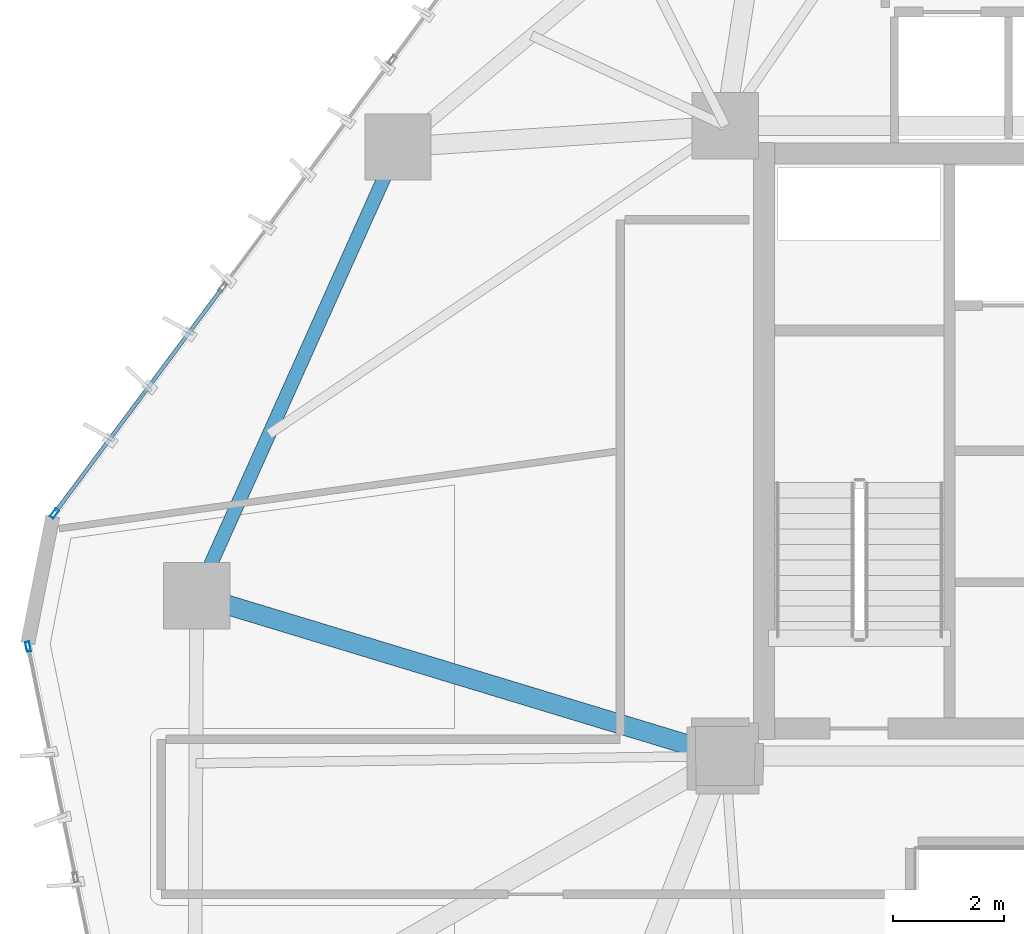
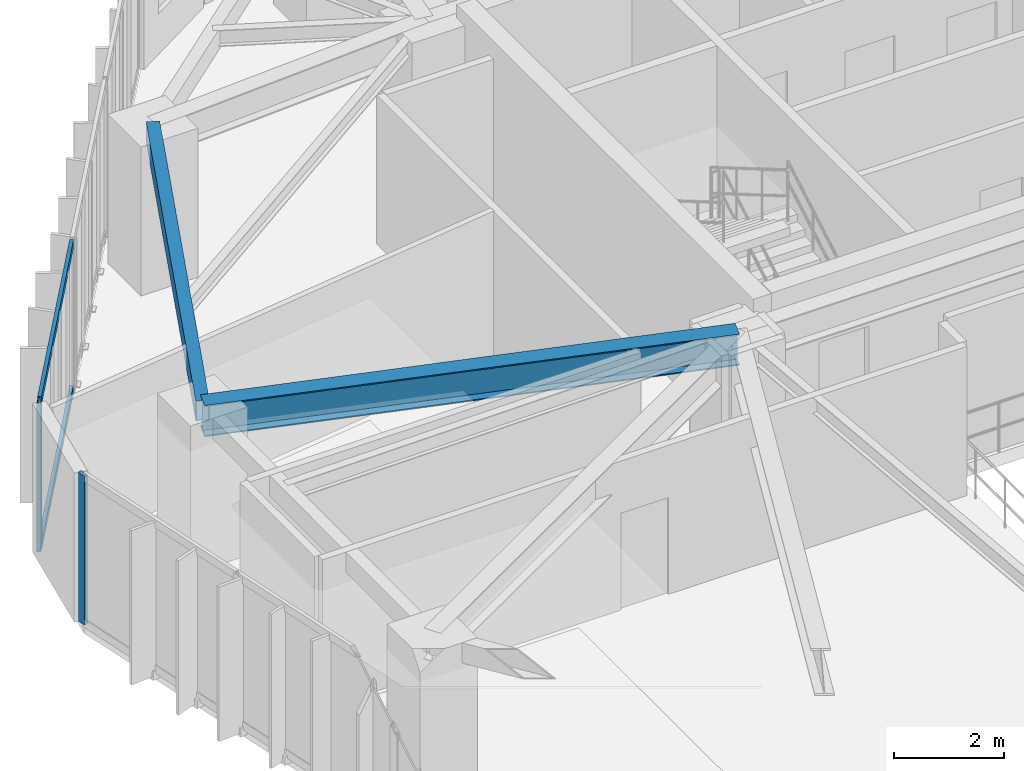
# One storey, part 8 of 23: 4 members, 2 beams, 2 elements without a shape of their own.
"""IFC4 building model written with IfcOpenShell, lengths in metres."""

from ifc_helpers import new_model, si_unit, direction, frame, origin, origin_2d, place, context, subcontext, project, spatial, hollow_rectangle, i_section, extrude, source, transform, mapped, material, layer, layer_set, material_profile, profile_set, type_object, type_shapes, element, aggregate, save


model = new_model("IFC4")

# Units and contexts
model_context = context("Model", 3, precision=1e-05, world=origin(), true_north=direction((0.0, 1.0)))
body_context = subcontext(model_context, "Body", "Model", "MODEL_VIEW")
ifc_project = project(units=[si_unit("LENGTHUNIT", "METRE"), si_unit("AREAUNIT", "SQUARE_METRE"), si_unit("VOLUMEUNIT", "CUBIC_METRE"), si_unit("PLANEANGLEUNIT", "RADIAN"), si_unit("MASSUNIT", "GRAM", prefix="KILO")], contexts=[model_context])

# Site, building, storey
site_placement = place(None, origin())
site = spatial("IfcSite", under=ifc_project, at=site_placement, CompositionType="ELEMENT")
building_placement = place(site_placement, origin())
building = spatial("IfcBuilding", under=site, at=building_placement, Name="Talar Marvaseh", CompositionType="ELEMENT")
storey_placement = place(building_placement, frame((0.0, 0.0, 118.199951171875)))
storey = spatial("IfcBuildingStorey", under=building, at=storey_placement, Name="L30", CompositionType="ELEMENT", Elevation=118.199951171875)

# Beams
ifc_material_1 = material(Name="Steel S355", Category="steel")
ifc_material_profile_1 = material_profile(ifc_material_1, hollow_rectangle(XDim=0.25, YDim=0.449951171875, WallThickness=0.01611328125, at=origin_2d()), Name="RHS450x250x16")
ifc_profile_set_1 = profile_set([ifc_material_profile_1], Name="Steel S355")
beam_type_1 = type_object("IfcBeamType", Name="Zone 2 Perimeter Spandrel Beam RHS450x250x16", PredefinedType="SPANDREL", material=ifc_profile_set_1)
beam_1_placement = place(storey_placement, frame((9.137939453125, 28.402099609375, 3.0849609375), z_axis=(0.409461733275, 0.912327292688, 0.0), x_axis=(-0.912327292688, 0.409461733275, 0.0)))
element("IfcBeam", 1, at=beam_1_placement, inside=storey, type_object=beam_type_1, Name="L30 Zone 2 Perimeter Spandrel Beam RHS450x250x16", PredefinedType="SPANDREL", context=body_context, shape_type="SweptSolid", body=[
    extrude(hollow_rectangle(XDim=0.25, YDim=0.449951171875, WallThickness=0.01611328125, at=origin_2d()), origin(), (0.0, 0.0, 1.0), 8.894775390625),
])
ifc_material_profile_2 = material_profile(ifc_material_1, i_section(OverallWidth=0.35498046875, OverallDepth=0.695068359375, WebThickness=0.015380859375, FlangeThickness=0.02490234375, at=origin_2d()), Name="W690x217")
ifc_profile_set_2 = profile_set([ifc_material_profile_2], Name="Steel S355")
beam_type_2 = type_object("IfcBeamType", Name="Zone 2 Radial Floor Girder W690x217", PredefinedType="BEAM", material=ifc_profile_set_2)
beam_2_placement = place(storey_placement, frame((9.137939453125, 28.402099609375, 2.962646484375), z_axis=(0.956898764921, -0.290421682546, 0.0), x_axis=(0.290421682546, 0.956898764921, 0.0)))
element("IfcBeam", 2, at=beam_2_placement, inside=storey, type_object=beam_type_2, Name="L30 Zone 2 Radial Floor Girder W690x217", PredefinedType="BEAM", context=body_context, shape_type="SweptSolid", body=[
    extrude(i_section(OverallWidth=0.35498046875, OverallDepth=0.695068359375, WebThickness=0.015380859375, FlangeThickness=0.02490234375, at=origin_2d()), origin(), (0.0, 0.0, 1.0), 9.99267578125),
])

# Curtain wall, member
ifc_material_2 = material(Name="Architectural Aluminium", Category="aluminium")
ifc_layer = layer(ifc_material_2, 0.199951171875)
ifc_layer_set = layer_set([ifc_layer], Name="Architectural Aluminium")
curtain_wall_type = type_object("IfcCurtainWallType", Name="Unitised Acoustic Library Curtain Wall Z2", PredefinedType="NOTDEFINED", material=ifc_layer_set)
curtain_wall_1_placement = place(storey_placement, origin())
curtain_wall_1 = element("IfcCurtainWall", 3, at=curtain_wall_1_placement, inside=storey, type_object=curtain_wall_type, Name="L30 Unitised Acoustic Library Curtain Wall Z2", PredefinedType="NOTDEFINED")
ifc_material_profile_3 = material_profile(ifc_material_2, hollow_rectangle(XDim=0.074951171875, YDim=0.179931640625, WallThickness=0.0048828125, at=origin_2d()), Name="RHS180x75x5")
ifc_profile_set_3 = profile_set([ifc_material_profile_3], Name="Architectural Aluminium")
member_type_1 = type_object("IfcMemberType", Name="Unitised Curtain Wall Standard Mullion RHS180x75x5", PredefinedType="MULLION", material=ifc_profile_set_3)
shared_shape_1 = source(origin(), body_context, "Body", "SweptSolid", [
    extrude(hollow_rectangle(XDim=0.074951171875, YDim=0.179931640625, WallThickness=0.0048828125, at=origin_2d()), origin(), (0.0, 0.0, 1.0), 3.31005859375),
])
type_shapes(member_type_1, [shared_shape_1])
member_1_placement = place(storey_placement, frame((6.09033203125, 27.47900390625, 0.0), z_axis=(0.0, 0.0, 1.0), x_axis=(-0.979588987607, -0.201010983182, 0.0)))
member_1 = element("IfcMember", 4, at=member_1_placement, type_object=member_type_1, Name="CW-Z2 mullion 5", PredefinedType="MULLION", context=body_context, shape_type="MappedRepresentation", body=[
    mapped(shared_shape_1, transform((0.0, 0.0, 0.0), x_axis=(1.0, 0.0, 0.0), y_axis=(0.0, 1.0, 0.0), z_axis=(0.0, 0.0, 1.0), scale=1.0)),
])
aggregate(curtain_wall_1, [member_1])

# Curtain wall, members
curtain_wall_2_placement = place(storey_placement, origin())
curtain_wall_2 = element("IfcCurtainWall", 5, at=curtain_wall_2_placement, inside=storey, type_object=curtain_wall_type, Name="L30 Unitised Acoustic Library Curtain Wall Z2", PredefinedType="NOTDEFINED")
member_2_placement = place(storey_placement, frame((6.5673828125, 29.890380859375, 0.0), z_axis=(0.0, 0.0, 1.0), x_axis=(-0.801961380596, 0.597375881697, 0.0)))
member_2 = element("IfcMember", 6, at=member_2_placement, type_object=member_type_1, Name="CW-Z2 mullion 1", PredefinedType="MULLION", context=body_context, shape_type="MappedRepresentation", body=[
    mapped(shared_shape_1, transform((0.0, 0.0, 0.0), x_axis=(1.0, 0.0, 0.0), y_axis=(0.0, 1.0, 0.0), z_axis=(0.0, 0.0, 1.0), scale=1.0)),
])
ifc_material_profile_4 = material_profile(ifc_material_2, hollow_rectangle(XDim=0.074951171875, YDim=0.179931640625, WallThickness=0.0048828125, at=origin_2d()), Name="RHS180x75x5")
ifc_profile_set_4 = profile_set([ifc_material_profile_4], Name="Architectural Aluminium")
member_type_2 = type_object("IfcMemberType", Name="Unitised Curtain Wall Transom RHS180x75x5", PredefinedType="USERDEFINED", material=ifc_profile_set_4)
shared_shape_2 = source(origin(), body_context, "Body", "SweptSolid", [
    extrude(hollow_rectangle(XDim=0.074951171875, YDim=0.179931640625, WallThickness=0.0048828125, at=origin_2d()), origin(), (0.0, 0.0, 1.0), 5.017333984375),
])
type_shapes(member_type_2, [shared_shape_2])
member_3_placement = place(storey_placement, frame((6.58984375, 29.920654296875, 0.03759765625), z_axis=(0.597388679661, 0.801951847316, 0.0), x_axis=(-0.801951847316, 0.597388679661, 0.0)))
member_3 = element("IfcMember", 7, at=member_3_placement, type_object=member_type_2, Name="CW-Z2 transom 1.1", ObjectType="TRANSOM", PredefinedType="USERDEFINED", context=body_context, shape_type="MappedRepresentation", body=[
    mapped(shared_shape_2, transform((0.0, 0.0, 0.0), x_axis=(1.0, 0.0, 0.0), y_axis=(0.0, 1.0, 0.0), z_axis=(0.0, 0.0, 1.0), scale=1.0)),
])
member_4_placement = place(storey_placement, frame((6.58984375, 29.920654296875, 3.2724609375), z_axis=(0.597388679661, 0.801951847316, 0.0), x_axis=(-0.801951847316, 0.597388679661, 0.0)))
member_4 = element("IfcMember", 8, at=member_4_placement, type_object=member_type_2, Name="CW-Z2 transom 1.2", ObjectType="TRANSOM", PredefinedType="USERDEFINED", context=body_context, shape_type="MappedRepresentation", body=[
    mapped(shared_shape_2, transform((0.0, 0.0, 0.0), x_axis=(1.0, 0.0, 0.0), y_axis=(0.0, 1.0, 0.0), z_axis=(0.0, 0.0, 1.0), scale=1.0)),
])
aggregate(curtain_wall_2, [member_2, member_3, member_4])

save(model, "model.ifc")
